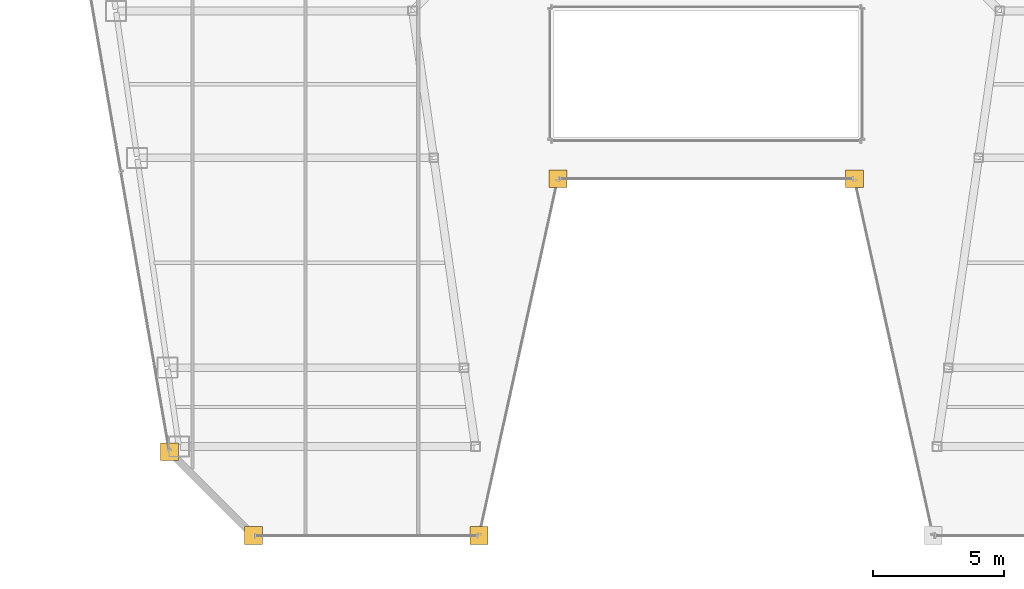
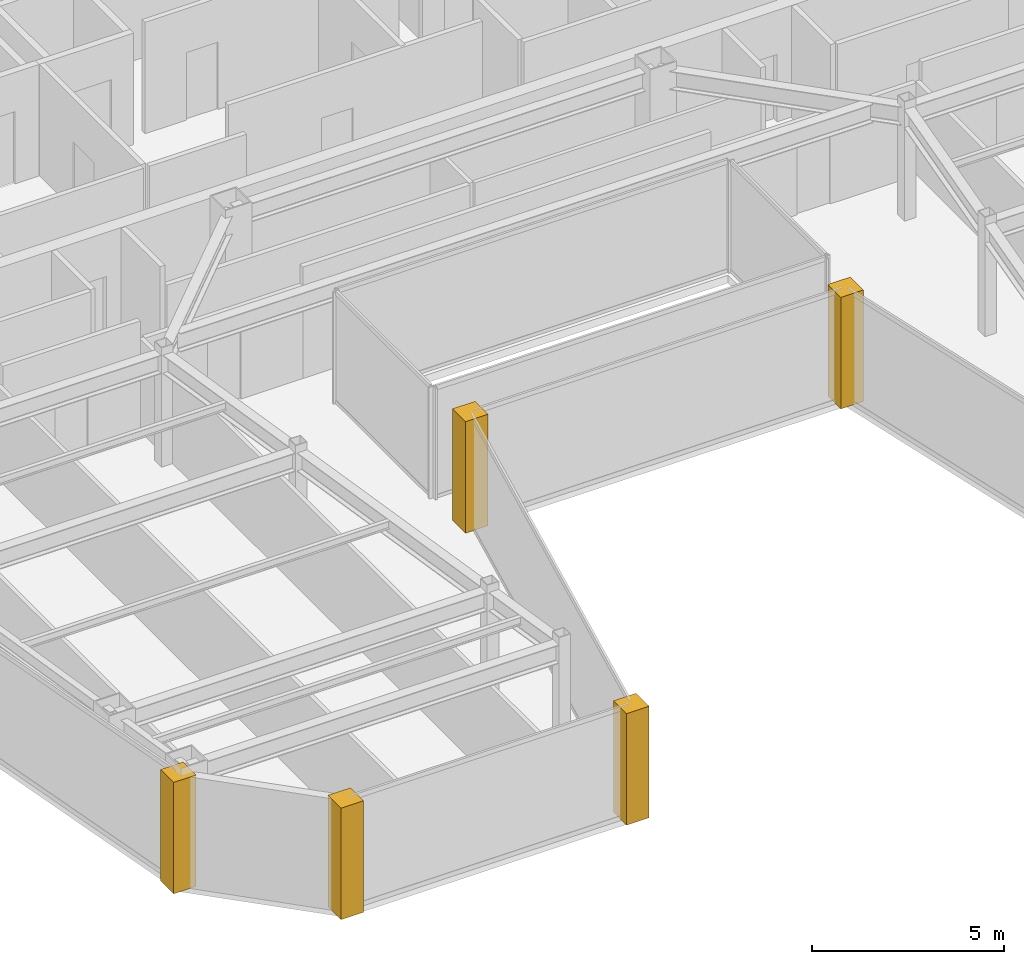
# One storey, part 30 of 33: 5 coverings.
"""IFC4 building model written with IfcOpenShell, lengths in metres."""

from ifc_helpers import new_model, si_unit, direction, frame, origin, place, context, subcontext, project, spatial, polyline, outline, extrude, material, layer, layer_set, type_object, element, save


model = new_model("IFC4")

# Units and contexts
model_context = context("Model", 3, precision=1e-05, world=origin(), true_north=direction((0.0, 1.0)))
body_context = subcontext(model_context, "Body", "Model", "MODEL_VIEW")
ifc_project = project(units=[si_unit("LENGTHUNIT", "METRE"), si_unit("AREAUNIT", "SQUARE_METRE"), si_unit("VOLUMEUNIT", "CUBIC_METRE"), si_unit("PLANEANGLEUNIT", "RADIAN"), si_unit("MASSUNIT", "GRAM", prefix="KILO")], contexts=[model_context])

# Site, building, storey
site_placement = place(None, origin())
site = spatial("IfcSite", under=ifc_project, at=site_placement, CompositionType="ELEMENT")
building_placement = place(site_placement, origin())
building = spatial("IfcBuilding", under=site, at=building_placement, Name="Saevonmaru Cultural Tower", CompositionType="ELEMENT")
storey_placement = place(building_placement, frame((0.0, 0.0, 238.199951171875)))
storey = spatial("IfcBuildingStorey", under=building, at=storey_placement, Name="L55", CompositionType="ELEMENT", Elevation=238.199951171875)

# Coverings
ifc_material = material(Name="Satin Bronze Anodised Aluminium", Category="aluminium")
ifc_layer = layer(ifc_material, 0.679931640625, Name="Satin Bronze Anodised Aluminium")
ifc_layer_set = layer_set([ifc_layer], Name="Satin Bronze Anodised Aluminium")
covering_type = type_object("IfcCoveringType", Name="CV-CORNER-CLAD", PredefinedType="CLADDING", material=ifc_layer_set)
covering_1_placement = place(storey_placement, origin())
element("IfcCovering", 1, at=covering_1_placement, inside=storey, type_object=covering_type, Name="L55 Tower Bronze Corner Cladding Pier 1", PredefinedType="CLADDING", context=body_context, shape_type="SweptSolid", body=[
    extrude(outline(polyline([(9.20703125, 20.4599609375), (9.886962890625, 20.4599609375), (9.886962890625, 21.139892578125), (9.20703125, 21.139892578125), (9.20703125, 20.4599609375)])), origin(), (0.0, 0.0, 1.0), 3.550048828125),
])
covering_2_placement = place(storey_placement, origin())
element("IfcCovering", 2, at=covering_2_placement, inside=storey, type_object=covering_type, Name="L55 Tower Bronze Corner Cladding Pier 2", PredefinedType="CLADDING", context=body_context, shape_type="SweptSolid", body=[
    extrude(outline(polyline([(12.406982421875, 17.260009765625), (13.0869140625, 17.260009765625), (13.0869140625, 17.93994140625), (12.406982421875, 17.93994140625), (12.406982421875, 17.260009765625)])), origin(), (0.0, 0.0, 1.0), 3.550048828125),
])
covering_3_placement = place(storey_placement, origin())
element("IfcCovering", 3, at=covering_3_placement, inside=storey, type_object=covering_type, Name="L55 Tower Bronze Corner Cladding Pier 3", PredefinedType="CLADDING", context=body_context, shape_type="SweptSolid", body=[
    extrude(outline(polyline([(21.007080078125, 17.260009765625), (21.68701171875, 17.260009765625), (21.68701171875, 17.93994140625), (21.007080078125, 17.93994140625), (21.007080078125, 17.260009765625)])), origin(), (0.0, 0.0, 1.0), 3.550048828125),
])
covering_4_placement = place(storey_placement, origin())
element("IfcCovering", 4, at=covering_4_placement, inside=storey, type_object=covering_type, Name="L55 Tower Bronze Corner Cladding Pier 4", PredefinedType="CLADDING", context=body_context, shape_type="SweptSolid", body=[
    extrude(outline(polyline([(24.007080078125, 30.860107421875), (24.68701171875, 30.860107421875), (24.68701171875, 31.5400390625), (24.007080078125, 31.5400390625), (24.007080078125, 30.860107421875)])), origin(), (0.0, 0.0, 1.0), 3.550048828125),
])
covering_5_placement = place(storey_placement, origin())
element("IfcCovering", 5, at=covering_5_placement, inside=storey, type_object=covering_type, Name="L55 Tower Bronze Corner Cladding Pier 5", PredefinedType="CLADDING", context=body_context, shape_type="SweptSolid", body=[
    extrude(outline(polyline([(35.31298828125, 30.860107421875), (35.992919921875, 30.860107421875), (35.992919921875, 31.5400390625), (35.31298828125, 31.5400390625), (35.31298828125, 30.860107421875)])), origin(), (0.0, 0.0, 1.0), 3.550048828125),
])

save(model, "model.ifc")
